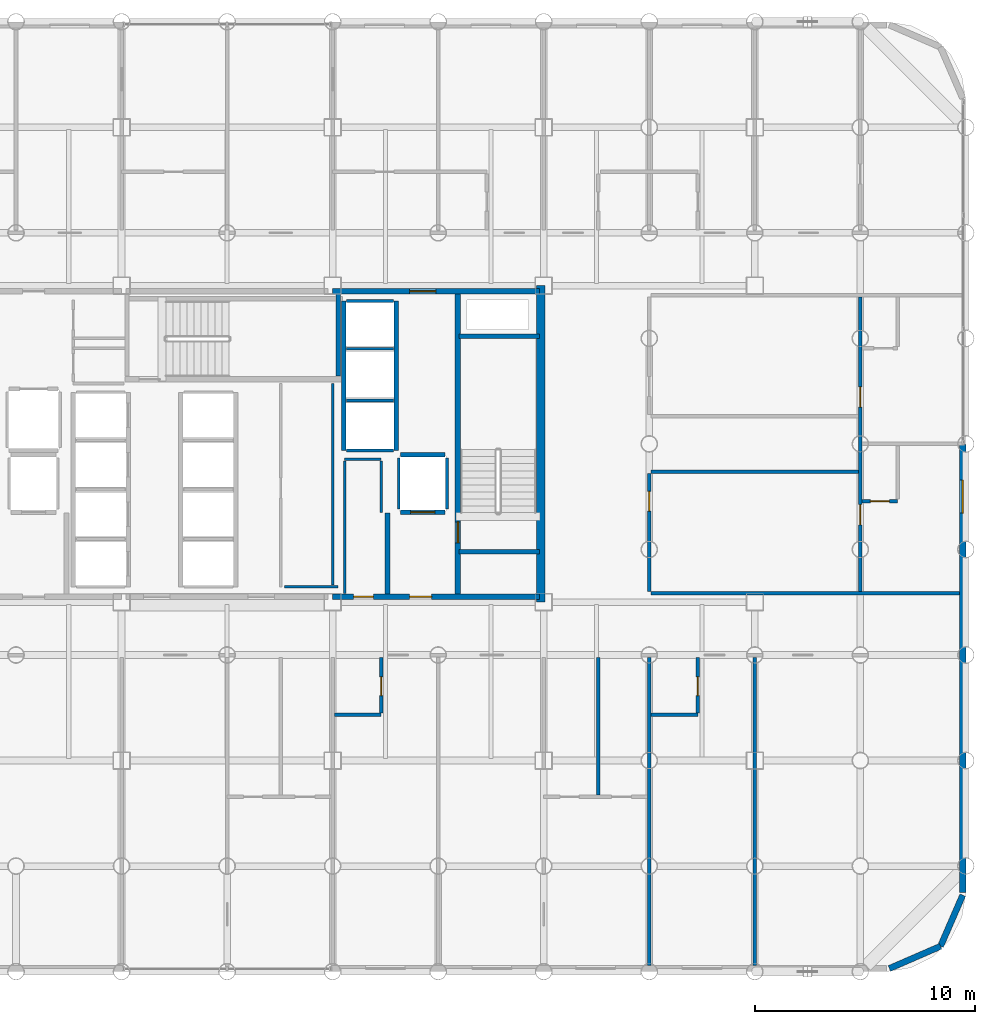
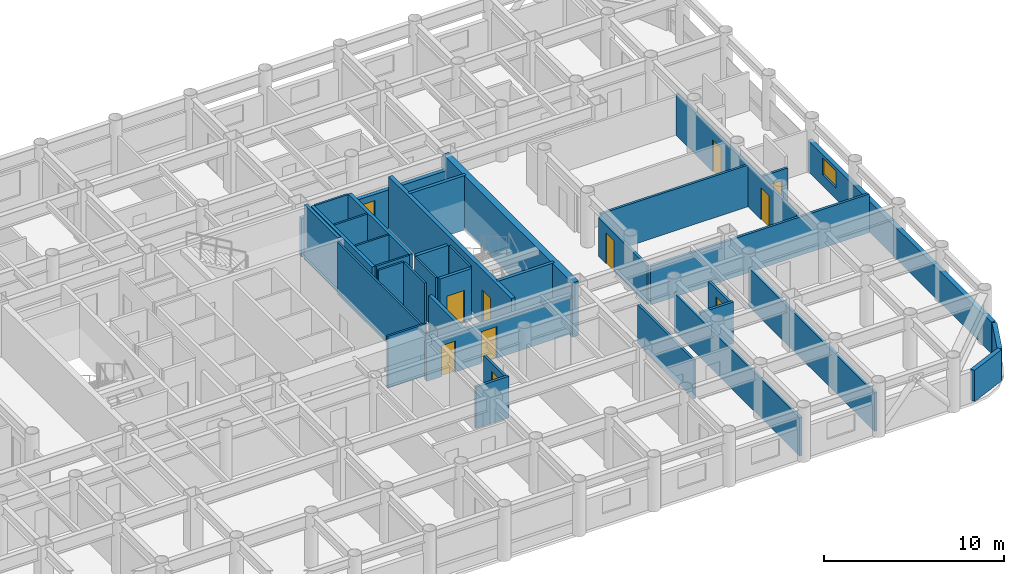
# One storey, part 17 of 20: 38 walls, 11 doors, 1 window, 12 openings.
"""IFC4 building model written with IfcOpenShell, lengths in metres."""

import ifcopenshell
import ifcopenshell.guid

model = None  # the IFC model being written
_history = None  # IfcOwnerHistory: only IFC2X3 demands one
_inside = {}  # id of a spatial element -> (the spatial element, [elements in it])
_under = {}  # id of a project, library or spatial element -> (it, [spatial elements below it])
_declared = {}  # id of a project -> (the project, [libraries it declares])
_typed = {}  # id of a type object -> (the type object, [elements of that type])
_made_of = {}  # id of a material, layer set ... -> (it, [elements and type objects made of it])


def new_model(schema):
    """Start an empty IFC model of exactly this schema.

    Asked for "IFC4X3", IfcOpenShell would pick the latest addendum, in which some entities
    have other attributes; the version numbers below select the first issue.
    IFC2X3 requires an IfcOwnerHistory on every rooted entity: one is made here for all.
    """
    global model, _history
    if schema == "IFC4X3":
        model = ifcopenshell.file(schema_version=(4, 3, 0, 0))
    else:
        model = ifcopenshell.file(schema=schema)
    _inside.clear()
    _under.clear()
    _declared.clear()
    _typed.clear()
    _made_of.clear()
    _history = None
    if model.schema == "IFC2X3":
        org = make("IfcOrganization", Name="unknown")
        user = make(
            "IfcPersonAndOrganization",
            ThePerson=make("IfcPerson", FamilyName="unknown"),
            TheOrganization=org,
        )
        app = make(
            "IfcApplication",
            ApplicationDeveloper=org,
            Version="unknown",
            ApplicationFullName="unknown",
            ApplicationIdentifier="unknown",
        )
        _history = make(
            "IfcOwnerHistory",
            OwningUser=user,
            OwningApplication=app,
            ChangeAction="ADDED",
            CreationDate=0,
        )
    return model


def make(cls, **values):
    """One entity of the class cls with the attributes given. An attribute that is None is left unset."""
    return model.create_entity(
        cls, **{name: value for name, value in values.items() if value is not None}
    )


def rooted(cls, **values):
    """An entity with a GlobalId (a new one), such as an element, a storey or a relation."""
    return make(cls, GlobalId=ifcopenshell.guid.new(), OwnerHistory=_history, **values)


def si_unit(unit_type, name, prefix=None):
    """IfcSIUnit, for example si_unit("LENGTHUNIT", "METRE", prefix="MILLI")."""
    return make("IfcSIUnit", UnitType=unit_type, Prefix=prefix, Name=name)


def assignment(units):
    """IfcUnitAssignment: the units of a project."""
    return None if units is None else make("IfcUnitAssignment", Units=units)


def point(xyz):
    """IfcCartesianPoint."""
    return None if xyz is None else make("IfcCartesianPoint", Coordinates=xyz)


def direction(xyz):
    """IfcDirection."""
    return None if xyz is None else make("IfcDirection", DirectionRatios=xyz)


def frame(location, z_axis=None, x_axis=None):
    """IfcAxis2Placement3D, a coordinate frame: its origin and axes. An axis left out is left unset."""
    return make(
        "IfcAxis2Placement3D",
        Location=point(location),
        Axis=direction(z_axis),
        RefDirection=direction(x_axis),
    )


def frame_2d(location, x_axis=None):
    """IfcAxis2Placement2D, a coordinate frame in the plane: its origin and x axis."""
    return make(
        "IfcAxis2Placement2D", Location=point(location), RefDirection=direction(x_axis)
    )


def origin():
    """The frame at (0, 0, 0) with its axes left unset."""
    return frame((0.0, 0.0, 0.0))


def place(relative_to, where):
    """IfcLocalPlacement: puts the frame where relative to a parent placement (None: the world)."""
    return make(
        "IfcLocalPlacement", PlacementRelTo=relative_to, RelativePlacement=where
    )


def context(
    kind, dimensions, precision=None, world=None, true_north=None, identifier=None
):
    """IfcGeometricRepresentationContext, for example the 3D "Model" context."""
    return make(
        "IfcGeometricRepresentationContext",
        ContextIdentifier=identifier,
        ContextType=kind,
        CoordinateSpaceDimension=dimensions,
        Precision=precision,
        WorldCoordinateSystem=world,
        TrueNorth=true_north,
    )


def subcontext(parent, identifier, kind, view, scale=None):
    """IfcGeometricRepresentationSubContext, for example "Body" below "Model"."""
    return make(
        "IfcGeometricRepresentationSubContext",
        ContextIdentifier=identifier,
        ContextType=kind,
        ParentContext=parent,
        TargetScale=scale,
        TargetView=view,
    )


def project(units=None, contexts=None):
    """IfcProject with its units and contexts."""
    return rooted(
        "IfcProject",
        Name="project",
        RepresentationContexts=contexts,
        UnitsInContext=assignment(units),
    )


def spatial(cls, under=None, at=None, **own):
    """A site, building, storey or space (cls), placed at a placement, below another one or the project."""
    s = rooted(cls, ObjectPlacement=at, **own)
    if under is not None:
        _under.setdefault(under.id(), (under, []))[1].append(s)
    return s


def profile(cls, at=None, kind="AREA", **sizes):
    """A parametric profile (cls). Its sizes go by their IFC names, for example OverallWidth=200.0."""
    return make(cls, ProfileType=kind, Position=at, **sizes)


def rectangle(**sizes):
    """IfcRectangleProfileDef."""
    return profile("IfcRectangleProfileDef", **sizes)


def extrude(swept, where, along, depth):
    """IfcExtrudedAreaSolid: the profile swept, set in the frame where, extruded along a direction by depth."""
    return make(
        "IfcExtrudedAreaSolid",
        SweptArea=swept,
        Position=where,
        ExtrudedDirection=direction(along),
        Depth=depth,
    )


def shape(context_of_items, identifier, shape_type, items):
    """IfcShapeRepresentation: the items that make up one representation, for example the "Body"."""
    return make(
        "IfcShapeRepresentation",
        ContextOfItems=context_of_items,
        RepresentationIdentifier=identifier,
        RepresentationType=shape_type,
        Items=items,
    )


def material(Name=None, Category=None):
    """IfcMaterial."""
    return make("IfcMaterial", Name=Name, Category=Category)


def layer(
    of_material, thickness, ventilated=None, Name=None, Category=None, Priority=None
):
    """IfcMaterialLayer: one layer of a wall or slab, of a material (None: an air gap)."""
    return make(
        "IfcMaterialLayer",
        Material=of_material,
        LayerThickness=thickness,
        IsVentilated=ventilated,
        Name=Name,
        Category=Category,
        Priority=Priority,
    )


def layer_set(layers, Name=None):
    """IfcMaterialLayerSet."""
    return make("IfcMaterialLayerSet", MaterialLayers=layers, LayerSetName=Name)


def made_of(thing, what):
    """Note that an element or type object is made of a material, layer set ...; save() writes the relation."""
    if what is not None:
        _made_of.setdefault(what.id(), (what, []))[1].append(thing)
    return thing


def type_object(cls, material=None, **own):
    """A type object (cls), such as IfcWallType, which elements share."""
    return made_of(rooted(cls, **own), material)


def element(
    cls,
    number,
    at=None,
    inside=None,
    cuts=None,
    type_object=None,
    material=None,
    context=None,
    identifier="Body",
    shape_type=None,
    held_by="IfcProductDefinitionShape",
    body=None,
    shapes=None,
    **own,
):
    """One element of the class cls, such as IfcWall. Its Tag is "e" and its number.

    at: its placement. inside: the storey or other place that contains it. cuts: it is an
    opening in that element (IfcRelVoidsElement). A single representation is given by context,
    identifier, shape_type and body (its items); several are given by shapes. held_by: the class
    of the entity that holds the representations. save() writes the other relations.
    """
    e = rooted(cls, Tag="e%d" % number, ObjectPlacement=at, **own)
    if body is not None:
        shapes = [shape(context, identifier, shape_type, body)]
    if shapes is not None:
        e.Representation = make(held_by, Representations=shapes)
    if inside is not None:
        _inside.setdefault(inside.id(), (inside, []))[1].append(e)
    if cuts is not None:
        rooted(
            "IfcRelVoidsElement", RelatingBuildingElement=cuts, RelatedOpeningElement=e
        )
    if type_object is not None:
        _typed.setdefault(type_object.id(), (type_object, []))[1].append(e)
    return made_of(e, material)


def fill(opening, filler):
    """IfcRelFillsElement: the door or window that sits in an opening."""
    return rooted(
        "IfcRelFillsElement",
        RelatingOpeningElement=opening,
        RelatedBuildingElement=filler,
    )


def aggregate(whole, parts):
    """IfcRelAggregates: a whole, such as a stair, and the parts it consists of."""
    return rooted("IfcRelAggregates", RelatingObject=whole, RelatedObjects=parts)


def save(model, path):
    """Write the relations noted so far, then the file.

    IfcRelAggregates (storeys below a building ...), IfcRelContainedInSpatialStructure (elements
    in a storey), IfcRelDefinesByType, IfcRelAssociatesMaterial and IfcRelDeclares: one each for
    every whole, place, type object, material and project.
    """
    for whole, parts in _under.values():
        aggregate(whole, parts)
    for where, things in _inside.values():
        rooted(
            "IfcRelContainedInSpatialStructure",
            RelatedElements=things,
            RelatingStructure=where,
        )
    for kind, things in _typed.values():
        rooted("IfcRelDefinesByType", RelatedObjects=things, RelatingType=kind)
    for what, things in _made_of.values():
        rooted("IfcRelAssociatesMaterial", RelatedObjects=things, RelatingMaterial=what)
    for by, libraries in _declared.values():
        rooted("IfcRelDeclares", RelatingContext=by, RelatedDefinitions=libraries)
    model.write(path)


model = new_model("IFC4")

# Units and contexts
model_context = context("Model", 3, precision=1e-05, world=origin(), true_north=direction((0.0, 1.0)))
body_context = subcontext(model_context, "Body", "Model", "MODEL_VIEW")
ifc_project = project(units=[si_unit("LENGTHUNIT", "METRE"), si_unit("AREAUNIT", "SQUARE_METRE"), si_unit("VOLUMEUNIT", "CUBIC_METRE"), si_unit("PLANEANGLEUNIT", "RADIAN"), si_unit("MASSUNIT", "GRAM", prefix="KILO")], contexts=[model_context])

# Site, building, storey
site_placement = place(None, origin())
site = spatial("IfcSite", under=ifc_project, at=site_placement, CompositionType="ELEMENT")
building_placement = place(site_placement, origin())
building = spatial("IfcBuilding", under=site, at=building_placement, Name="Kallvorn Hotel Tower", CompositionType="ELEMENT")
storey_placement = place(building_placement, frame((0.0, 0.0, 78.10009765625)))
storey = spatial("IfcBuildingStorey", under=building, at=storey_placement, Name="L18", CompositionType="ELEMENT", Elevation=78.10009765625)

# Walls
ifc_material_1 = material(Name="Concrete C50/60", Category="concrete")
ifc_layer_1 = layer(ifc_material_1, 0.39990234375)
ifc_layer_set_1 = layer_set([ifc_layer_1], Name="WL_CORE_400")
wall_type_1 = type_object("IfcWallType", Name="WL_CORE_400", PredefinedType="SHEAR", material=ifc_layer_set_1)
wall_1_placement = place(storey_placement, frame((14.264892578125, -7.199951171875, -0.18017578125), z_axis=(0.0, 0.0, 1.0), x_axis=(0.0, 1.0, 0.0)))
element("IfcWall", 1, at=wall_1_placement, inside=storey, type_object=wall_type_1, Name="L18 Core East Shear Wall", PredefinedType="SHEAR", context=body_context, shape_type="SweptSolid", body=[
    extrude(rectangle(XDim=14.39990234375, YDim=0.39990234375, at=frame_2d((7.199951171875, 0.0))), origin(), (0.0, 0.0, 1.0), 3.7001953125),
])
ifc_material_2 = material(Name="Fire-rated double-layer acoustic gypsum drywall EI 60")
ifc_layer_2 = layer(ifc_material_2, 0.159912109375)
ifc_layer_set_2 = layer_set([ifc_layer_2], Name="WL_DEMISE_160")
wall_type_2 = type_object("IfcWallType", Name="WL_DEMISE_160", PredefinedType="PARTITIONING", material=ifc_layer_set_2)
wall_2_placement = place(storey_placement, frame((4.8798828125, -12.320068359375, 0.0), z_axis=(0.0, 0.0, 1.0), x_axis=(1.0, 0.0, 0.0)))
element("IfcWall", 2, at=wall_2_placement, inside=storey, type_object=wall_type_2, Name="L18 Suite 1806 Deluxe King Room Partition", PredefinedType="PARTITIONING", context=body_context, shape_type="SweptSolid", body=[
    extrude(rectangle(XDim=2.130126953125, YDim=0.159912109375, at=frame_2d((1.06494140625, 0.0))), origin(), (0.0, 0.0, 1.0), 2.81982421875),
])
wall_3_placement = place(storey_placement, frame((19.280029296875, -12.320068359375, 0.0), z_axis=(0.0, 0.0, 1.0), x_axis=(1.0, 0.0, 0.0)))
element("IfcWall", 3, at=wall_3_placement, inside=storey, type_object=wall_type_2, Name="L18 Suite 1808 Superior Twin Room Partition", PredefinedType="PARTITIONING", context=body_context, shape_type="SweptSolid", body=[
    extrude(rectangle(XDim=2.1298828125, YDim=0.159912109375, at=frame_2d((1.06494140625, 0.0))), origin(), (0.0, 0.0, 1.0), 2.81982421875),
])
wall_4_placement = place(storey_placement, frame((19.280029296875, -6.800048828125, 0.0), z_axis=(0.0, 0.0, 1.0), x_axis=(1.0, 0.0, 0.0)))
element("IfcWall", 4, at=wall_4_placement, inside=storey, type_object=wall_type_2, Name="L18 Suite 1803 E Loggia King Room Partition", PredefinedType="PARTITIONING", context=body_context, shape_type="SweptSolid", body=[
    extrude(rectangle(XDim=14.030029296875, YDim=0.159912109375, at=frame_2d((7.01513671875, 0.0))), origin(), (0.0, 0.0, 1.0), 2.619873046875),
])

# Wall, opening, door
wall_5_placement = place(storey_placement, frame((28.8798828125, -2.60009765625, 0.0), z_axis=(0.0, 0.0, 1.0), x_axis=(1.0, 0.0, 0.0)))
wall_5 = element("IfcWall", 5, at=wall_5_placement, inside=storey, type_object=wall_type_2, Name="L18 Suite 1803 E Loggia King Room Partition", PredefinedType="PARTITIONING", context=body_context, shape_type="SweptSolid", body=[
    extrude(rectangle(XDim=1.6201171875, YDim=0.159912109375, at=frame_2d((0.81005859375, 0.0))), origin(), (0.0, 0.0, 1.0), 2.81982421875),
])
opening_1_placement = place(wall_5_placement, frame((0.3798828125, 0.0, 0.0)))
opening_1 = element("IfcOpeningElement", 6, at=opening_1_placement, cuts=wall_5, Name="Opening BD-I", PredefinedType="OPENING", context=body_context, shape_type="SweptSolid", body=[
    extrude(rectangle(XDim=0.860107421875, YDim=2.10009765625, at=frame_2d((0.43017578125, 1.050048828125))), frame((0.0, 0.094970703125, 0.0), z_axis=(0.0, -1.0, 0.0), x_axis=(1.0, 0.0, 0.0)), (0.0, 0.0, 1.0), 0.18994140625),
])
ifc_material_3 = material(Name="Solid-core walnut veneer fire-rated timber door leaf", Category="wood")
door_type_1 = type_object("IfcDoorType", Name="DR_BATH_860x2100", OperationType="NOTDEFINED", PredefinedType="DOOR", material=ifc_material_3)
door_1_placement = place(opening_1_placement, origin())
door_1 = element("IfcDoor", 7, at=door_1_placement, inside=storey, type_object=door_type_1, Name="L18 Suite 1803 En-Suite Bathroom Door", OperationType="SINGLE_SWING_LEFT", OverallHeight=2.10009765625, OverallWidth=0.860107421875, PredefinedType="DOOR", context=body_context, shape_type="SweptSolid", body=[
    extrude(rectangle(XDim=0.860107421875, YDim=2.10009765625, at=frame_2d((0.43017578125, 1.050048828125))), frame((0.0, 0.02490234375, 0.0), z_axis=(0.0, -1.0, 0.0), x_axis=(1.0, 0.0, 0.0)), (0.0, 0.0, 1.0), 0.050048828125),
])
fill(opening_1, door_1)

wall_6_placement = place(storey_placement, frame((7.006591796875, -12.235107421875, 0.0), z_axis=(0.0, 0.0, 1.0), x_axis=(0.0, 1.0, 0.0)))
wall_6 = element("IfcWall", 8, at=wall_6_placement, inside=storey, type_object=wall_type_2, Name="L18 Suite 1806 Deluxe King Room Partition", PredefinedType="PARTITIONING", context=body_context, shape_type="SweptSolid", body=[
    extrude(rectangle(XDim=2.51513671875, YDim=0.159912109375, at=frame_2d((1.257568359375, 0.0))), origin(), (0.0, 0.0, 1.0), 2.619873046875),
])
opening_2_placement = place(wall_6_placement, frame((0.784912109375, 0.0, 0.0)))
opening_2 = element("IfcOpeningElement", 9, at=opening_2_placement, cuts=wall_6, Name="Opening BD-I", PredefinedType="OPENING", context=body_context, shape_type="SweptSolid", body=[
    extrude(rectangle(XDim=0.860107421875, YDim=2.10009765625, at=frame_2d((0.43017578125, 1.050048828125))), frame((0.0, 0.094970703125, 0.0), z_axis=(0.0, -1.0, 0.0), x_axis=(1.0, 0.0, 0.0)), (0.0, 0.0, 1.0), 0.18994140625),
])
door_2_placement = place(opening_2_placement, origin())
door_2 = element("IfcDoor", 10, at=door_2_placement, inside=storey, type_object=door_type_1, Name="L18 Suite 1806 En-Suite Bathroom Door", OperationType="SINGLE_SWING_LEFT", OverallHeight=2.10009765625, OverallWidth=0.860107421875, PredefinedType="DOOR", context=body_context, shape_type="SweptSolid", body=[
    extrude(rectangle(XDim=0.860107421875, YDim=2.10009765625, at=frame_2d((0.43017578125, 1.050048828125))), frame((0.0, 0.02490234375, 0.0), z_axis=(0.0, -1.0, 0.0), x_axis=(1.0, 0.0, 0.0)), (0.0, 0.0, 1.0), 0.050048828125),
])
fill(opening_2, door_2)

# Wall
wall_7_placement = place(storey_placement, frame((19.199951171875, -23.7099609375, 0.0), z_axis=(0.0, 0.0, 1.0), x_axis=(0.0, 1.0, 0.0)))
element("IfcWall", 11, at=wall_7_placement, inside=storey, type_object=wall_type_2, Name="L18 Suite 1807 Executive Bedroom Partition", PredefinedType="PARTITIONING", context=body_context, shape_type="SweptSolid", body=[
    extrude(rectangle(XDim=13.989990234375, YDim=0.159912109375, at=frame_2d((6.9951171875, 0.0))), origin(), (0.0, 0.0, 1.0), 2.619873046875),
])

# Wall, opening, door
wall_8_placement = place(storey_placement, frame((21.409912109375, -12.235107421875, 0.0), z_axis=(0.0, 0.0, 1.0), x_axis=(0.0, 1.0, 0.0)))
wall_8 = element("IfcWall", 12, at=wall_8_placement, inside=storey, type_object=wall_type_2, Name="L18 Suite 1808 Superior Twin Room Partition", PredefinedType="PARTITIONING", context=body_context, shape_type="SweptSolid", body=[
    extrude(rectangle(XDim=2.51513671875, YDim=0.159912109375, at=frame_2d((1.257568359375, 0.0))), origin(), (0.0, 0.0, 1.0), 2.619873046875),
])
opening_3_placement = place(wall_8_placement, frame((0.784912109375, 0.0, 0.0)))
opening_3 = element("IfcOpeningElement", 13, at=opening_3_placement, cuts=wall_8, Name="Opening BD-I", PredefinedType="OPENING", context=body_context, shape_type="SweptSolid", body=[
    extrude(rectangle(XDim=0.860107421875, YDim=2.10009765625, at=frame_2d((0.43017578125, 1.050048828125))), frame((0.0, 0.094970703125, 0.0), z_axis=(0.0, -1.0, 0.0), x_axis=(1.0, 0.0, 0.0)), (0.0, 0.0, 1.0), 0.18994140625),
])
door_3_placement = place(opening_3_placement, origin())
door_3 = element("IfcDoor", 14, at=door_3_placement, inside=storey, type_object=door_type_1, Name="L18 Suite 1808 En-Suite Bathroom Door", OperationType="SINGLE_SWING_RIGHT", OverallHeight=2.10009765625, OverallWidth=0.860107421875, PredefinedType="DOOR", context=body_context, shape_type="SweptSolid", body=[
    extrude(rectangle(XDim=0.860107421875, YDim=2.10009765625, at=frame_2d((0.43017578125, 1.050048828125))), frame((0.0, 0.02490234375, 0.0), z_axis=(0.0, -1.0, 0.0), x_axis=(1.0, 0.0, 0.0)), (0.0, 0.0, 1.0), 0.050048828125),
])
fill(opening_3, door_3)

# Wall
wall_9_placement = place(storey_placement, frame((24.0, -23.7099609375, 0.0), z_axis=(0.0, 0.0, 1.0), x_axis=(0.0, 1.0, 0.0)))
element("IfcWall", 15, at=wall_9_placement, inside=storey, type_object=wall_type_2, Name="L18 Suite 1808 Superior Twin Room Partition", PredefinedType="PARTITIONING", context=body_context, shape_type="SweptSolid", body=[
    extrude(rectangle(XDim=13.989990234375, YDim=0.159912109375, at=frame_2d((6.9951171875, 0.0))), origin(), (0.0, 0.0, 1.0), 2.619873046875),
])

# Wall, openings, doors
wall_10_placement = place(storey_placement, frame((28.800048828125, -6.715087890625, 0.0), z_axis=(0.0, 0.0, 1.0), x_axis=(0.0, 1.0, 0.0)))
wall_10 = element("IfcWall", 16, at=wall_10_placement, inside=storey, type_object=wall_type_2, Name="L18 Suite 1803 E Loggia King Room Partition", PredefinedType="PARTITIONING", context=body_context, shape_type="SweptSolid", body=[
    extrude(rectangle(XDim=13.388427734375, YDim=0.159912109375, at=frame_2d((6.6943359375, 0.0))), origin(), (0.0, 0.0, 1.0), 2.81982421875),
])
opening_4_placement = place(wall_10_placement, frame((3.034912109375, 0.0, 0.0)))
opening_4 = element("IfcOpeningElement", 17, at=opening_4_placement, cuts=wall_10, Name="Opening GD1", PredefinedType="OPENING", context=body_context, shape_type="SweptSolid", body=[
    extrude(rectangle(XDim=0.919921875, YDim=2.14990234375, at=frame_2d((0.4599609375, 1.074951171875))), frame((0.0, 0.094970703125, 0.0), z_axis=(0.0, -1.0, 0.0), x_axis=(1.0, 0.0, 0.0)), (0.0, 0.0, 1.0), 0.18994140625),
])
opening_5_placement = place(wall_10_placement, frame((8.385009765625, 0.0, 0.0)))
opening_5 = element("IfcOpeningElement", 18, at=opening_5_placement, cuts=wall_10, Name="Opening GD1", PredefinedType="OPENING", context=body_context, shape_type="SweptSolid", body=[
    extrude(rectangle(XDim=0.919921875, YDim=2.14990234375, at=frame_2d((0.4599609375, 1.074951171875))), frame((0.0, 0.094970703125, 0.0), z_axis=(0.0, -1.0, 0.0), x_axis=(1.0, 0.0, 0.0)), (0.0, 0.0, 1.0), 0.18994140625),
])
ifc_material_4 = material(Name="Solid-core walnut veneer fire-rated timber door leaf", Category="wood")
door_type_2 = type_object("IfcDoorType", Name="DR_GUEST_920x2150", OperationType="NOTDEFINED", PredefinedType="DOOR", material=ifc_material_4)
door_4_placement = place(opening_4_placement, origin())
door_4 = element("IfcDoor", 19, at=door_4_placement, inside=storey, type_object=door_type_2, Name="L18 Suite 1803 E Loggia King Room Door", OperationType="SINGLE_SWING_RIGHT", OverallHeight=2.14990234375, OverallWidth=0.919921875, PredefinedType="DOOR", context=body_context, shape_type="SweptSolid", body=[
    extrude(rectangle(XDim=0.919921875, YDim=2.14990234375, at=frame_2d((0.4599609375, 1.074951171875))), frame((0.0, 0.02490234375, 0.0), z_axis=(0.0, -1.0, 0.0), x_axis=(1.0, 0.0, 0.0)), (0.0, 0.0, 1.0), 0.050048828125),
])
fill(opening_4, door_4)
door_5_placement = place(opening_5_placement, origin())
door_5 = element("IfcDoor", 20, at=door_5_placement, inside=storey, type_object=door_type_2, Name="L18 Suite 1804 E Andean Twin Room Door", OperationType="SINGLE_SWING_LEFT", OverallHeight=2.14990234375, OverallWidth=0.919921875, PredefinedType="DOOR", context=body_context, shape_type="SweptSolid", body=[
    extrude(rectangle(XDim=0.919921875, YDim=2.14990234375, at=frame_2d((0.4599609375, 1.074951171875))), frame((0.0, 0.02490234375, 0.0), z_axis=(0.0, -1.0, 0.0), x_axis=(1.0, 0.0, 0.0)), (0.0, 0.0, 1.0), 0.050048828125),
])
fill(opening_5, door_5)

# Walls
ifc_material_5 = material(Name="Precast basalt-clad insulated concrete wall C40/50", Category="masonry")
ifc_layer_3 = layer(ifc_material_5, 0.280029296875)
ifc_layer_set_3 = layer_set([ifc_layer_3], Name="WL_EXT_LOGGIA_280")
wall_type_3 = type_object("IfcWallType", Name="WL_EXT_LOGGIA_280", PredefinedType="SOLIDWALL", material=ifc_layer_set_3)
wall_11_placement = place(storey_placement, frame((30.120849609375, -23.85791015625, 0.0), z_axis=(0.0, 0.0, 1.0), x_axis=(0.917060872934, 0.398747232384, 0.0)))
element("IfcWall", 21, at=wall_11_placement, inside=storey, type_object=wall_type_3, Name="L18 Rounded Corner Exterior Wall SE1", PredefinedType="SOLIDWALL", context=body_context, shape_type="SweptSolid", body=[
    extrude(rectangle(XDim=2.5361328125, YDim=0.280029296875, at=frame_2d((1.26806640625, 0.0))), origin(), (0.0, 0.0, 1.0), 2.119873046875),
])
wall_12_placement = place(storey_placement, frame((32.446533203125, -22.8466796875, 0.0), z_axis=(0.0, 0.0, 1.0), x_axis=(0.398792985289, 0.917040977756, 0.0)))
element("IfcWall", 22, at=wall_12_placement, inside=storey, type_object=wall_type_3, Name="L18 Rounded Corner Exterior Wall SE2", PredefinedType="SOLIDWALL", context=body_context, shape_type="SweptSolid", body=[
    extrude(rectangle(XDim=2.536376953125, YDim=0.280029296875, at=frame_2d((1.26806640625, 0.0))), origin(), (0.0, 0.0, 1.0), 2.119873046875),
])

# Wall, opening, window
wall_13_placement = place(storey_placement, frame((33.4599609375, -20.39990234375, 0.0), z_axis=(0.0, 0.0, 1.0), x_axis=(0.0, 1.0, 0.0)))
wall_13 = element("IfcWall", 23, at=wall_13_placement, inside=storey, type_object=wall_type_3, Name="L18 Exterior Envelope Wall EW-L18-ES", PredefinedType="SOLIDWALL", context=body_context, shape_type="SweptSolid", body=[
    extrude(rectangle(XDim=20.3798828125, YDim=0.280029296875, at=frame_2d((10.18994140625, 0.0))), origin(), (0.0, 0.0, 1.0), 2.119873046875),
])
opening_6_placement = place(wall_13_placement, frame((17.25, 0.0, 0.75)))
opening_6 = element("IfcOpeningElement", 24, at=opening_6_placement, cuts=wall_13, Name="Opening W05A", PredefinedType="OPENING", context=body_context, shape_type="SweptSolid", body=[
    extrude(rectangle(XDim=1.5, YDim=1.14990234375, at=frame_2d((0.75, 0.574951171875))), frame((0.0, 0.155029296875, 0.0), z_axis=(0.0, -1.0, 0.0), x_axis=(1.0, 0.0, 0.0)), (0.0, 0.0, 1.0), 0.31005859375),
])
ifc_material_6 = material(Name="Double-glazed low-e solar-control dark glass", Category="glass")
window_type = type_object("IfcWindowType", Name="WN_HTL_1500x1150", PartitioningType="SINGLE_PANEL", PredefinedType="WINDOW", material=ifc_material_6)
window_placement = place(opening_6_placement, origin())
window = element("IfcWindow", 25, at=window_placement, inside=storey, type_object=window_type, Name="L18 Flank Wing Window 02", OverallHeight=1.14990234375, OverallWidth=1.5, PartitioningType="SINGLE_PANEL", PredefinedType="WINDOW", context=body_context, shape_type="SweptSolid", body=[
    extrude(rectangle(XDim=1.5, YDim=1.14990234375, at=frame_2d((0.75, 0.574951171875))), frame((0.0, 0.030029296875, 0.0), z_axis=(0.0, -1.0, 0.0), x_axis=(1.0, 0.0, 0.0)), (0.0, 0.0, 1.0), 0.06005859375),
])
fill(opening_6, window)

# Walls
ifc_material_7 = material(Name="Concrete C40/50", Category="concrete")
ifc_layer_4 = layer(ifc_material_7, 0.219970703125)
ifc_layer_set_4 = layer_set([ifc_layer_4], Name="WL_FFL_220")
wall_type_4 = type_object("IfcWallType", Name="WL_FFL_220", PredefinedType="SOLIDWALL", material=ifc_layer_set_4)
wall_14_placement = place(storey_placement, frame((7.300048828125, -6.820068359375, 0.0), z_axis=(0.0, 0.0, 1.0), x_axis=(0.0, 1.0, 0.0)))
element("IfcWall", 26, at=wall_14_placement, inside=storey, type_object=wall_type_4, Name="L18 Firefighting Lobby East Divider Wall", PredefinedType="SOLIDWALL", context=body_context, shape_type="SweptSolid", body=[
    extrude(rectangle(XDim=3.670166015625, YDim=0.219970703125, at=frame_2d((1.8349609375, 0.0))), origin(), (0.0, 0.0, 1.0), 2.619873046875),
])
ifc_material_8 = material(Name="Concrete C40/50", Category="concrete")
ifc_layer_5 = layer(ifc_material_8, 0.199951171875)
ifc_layer_set_5 = layer_set([ifc_layer_5], Name="WL_HOIST_200")
wall_type_5 = type_object("IfcWallType", Name="WL_HOIST_200", PredefinedType="SOLIDWALL", material=ifc_layer_set_5)
for number, where, z_axis, x_axis, name in (
    (27, (10.550048828125, -4.89990234375, -0.18017578125), (0.0, 0.0, 1.0), (1.0, 0.0, 0.0), "L18 Stair ST2 South Wall"),
    (28, (10.550048828125, 4.89990234375, -0.18017578125), (0.0, 0.0, 1.0), (1.0, 0.0, 0.0), "L18 Stair ST2 North Wall"),
):
    element("IfcWall", number, at=place(storey_placement, frame(where, z_axis=z_axis, x_axis=x_axis)), inside=storey, type_object=wall_type_5, Name=name, PredefinedType="SOLIDWALL", context=body_context, shape_type="SweptSolid", body=[
        extrude(rectangle(XDim=3.64990234375, YDim=0.199951171875, at=frame_2d((1.824951171875, 0.0))), origin(), (0.0, 0.0, 1.0), 3.7001953125),
    ])
wall_15_placement = place(storey_placement, frame((5.06005859375, 3.080078125, -0.18017578125), z_axis=(0.0, 0.0, 1.0), x_axis=(0.0, 1.0, 0.0)))
element("IfcWall", 29, at=wall_15_placement, inside=storey, type_object=wall_type_5, Name="L18 Stair ST3 East Wall", PredefinedType="SOLIDWALL", context=body_context, shape_type="SweptSolid", body=[
    extrude(rectangle(XDim=3.739990234375, YDim=0.199951171875, at=frame_2d((1.8701171875, 0.0))), origin(), (0.0, 0.0, 1.0), 3.7001953125),
])
for number, where, z_axis, x_axis, name in (
    (30, (7.699951171875, -0.300048828125, 0.0), (0.0, 0.0, 1.0), (0.0, 1.0, 0.0), "L18 Lift Bank OBS Landing Wall"),
    (31, (5.300048828125, -0.300048828125, 0.0), (0.0, 0.0, 1.0), (0.0, 1.0, 0.0), "L18 Lift Bank OBS Rear Shaft Wall"),
):
    element("IfcWall", number, at=place(storey_placement, frame(where, z_axis=z_axis, x_axis=x_axis)), inside=storey, type_object=wall_type_5, Name=name, PredefinedType="SOLIDWALL", context=body_context, shape_type="SweptSolid", body=[
        extrude(rectangle(XDim=6.800048828125, YDim=0.199951171875, at=frame_2d((3.39990234375, 0.0))), origin(), (0.0, 0.0, 1.0), 3.52001953125),
    ])

# Wall, opening, door
wall_16_placement = place(storey_placement, frame((7.8798828125, -3.10009765625, 0.0), z_axis=(0.0, 0.0, 1.0), x_axis=(1.0, 0.0, 0.0)))
wall_16 = element("IfcWall", 32, at=wall_16_placement, inside=storey, type_object=wall_type_5, Name="L18 FL-2 Landing Wall", PredefinedType="SOLIDWALL", context=body_context, shape_type="SweptSolid", body=[
    extrude(rectangle(XDim=2.0400390625, YDim=0.199951171875, at=frame_2d((1.02001953125, 0.0))), origin(), (0.0, 0.0, 1.0), 3.52001953125),
])
opening_7_placement = place(wall_16_placement, frame((0.469970703125, 0.0, 0.0)))
opening_7 = element("IfcOpeningElement", 33, at=opening_7_placement, cuts=wall_16, Name="Opening LD-FL-2", PredefinedType="OPENING", context=body_context, shape_type="SweptSolid", body=[
    extrude(rectangle(XDim=1.10009765625, YDim=2.199951171875, at=frame_2d((0.550048828125, 1.10009765625))), frame((0.0, 0.114990234375, 0.0), z_axis=(0.0, -1.0, 0.0), x_axis=(1.0, 0.0, 0.0)), (0.0, 0.0, 1.0), 0.22998046875),
])
ifc_material_9 = material(Name="Brushed stainless-steel automatic sliding lift landing door", Category="steel")
door_type_3 = type_object("IfcDoorType", Name="LD_PASS_1100x2200", OperationType="SLIDING_TO_LEFT", PredefinedType="DOOR", material=ifc_material_9)
door_6_placement = place(opening_7_placement, origin())
door_6 = element("IfcDoor", 34, at=door_6_placement, inside=storey, type_object=door_type_3, Name="L18 Lift Landing Sliding Door LD-FL-2", OperationType="SLIDING_TO_LEFT", OverallHeight=2.199951171875, OverallWidth=1.10009765625, PredefinedType="DOOR", context=body_context, shape_type="SweptSolid", body=[
    extrude(rectangle(XDim=1.10009765625, YDim=2.199951171875, at=frame_2d((0.550048828125, 1.10009765625))), frame((0.0, 0.02490234375, 0.0), z_axis=(0.0, -1.0, 0.0), x_axis=(1.0, 0.0, 0.0)), (0.0, 0.0, 1.0), 0.050048828125),
])
fill(opening_7, door_6)

# Walls
wall_17_placement = place(storey_placement, frame((7.8798828125, -0.5, 0.0), z_axis=(0.0, 0.0, 1.0), x_axis=(1.0, 0.0, 0.0)))
element("IfcWall", 35, at=wall_17_placement, inside=storey, type_object=wall_type_5, Name="L18 FL-2 Rear Shaft Wall", PredefinedType="SOLIDWALL", context=body_context, shape_type="SweptSolid", body=[
    extrude(rectangle(XDim=2.0400390625, YDim=0.199951171875, at=frame_2d((1.02001953125, 0.0))), origin(), (0.0, 0.0, 1.0), 3.52001953125),
])
ifc_material_10 = material(Name="Fire-rated double-layer acoustic gypsum drywall EI 60")
ifc_layer_6 = layer(ifc_material_10, 0.1201171875)
ifc_layer_set_6 = layer_set([ifc_layer_6], Name="WL_INT_120")
wall_type_6 = type_object("IfcWallType", Name="WL_INT_120", PredefinedType="PARTITIONING", material=ifc_layer_set_6)
for number, where, z_axis, x_axis, name in (
    (36, (5.43994140625, -0.300048828125, 0.0), (0.0, 0.0, 1.0), (1.0, 0.0, 0.0), "L18 Lift Bank OBS South Closure Wall"),
    (37, (5.43994140625, 1.97509765625, 0.0), (0.0, 0.0, 1.0), (1.0, 0.0, 0.0), "L18 OB-01 Hoistway Divider"),
    (38, (5.43994140625, 4.324951171875, 0.0), (0.0, 0.0, 1.0), (1.0, 0.0, 0.0), "L18 OB-02 Hoistway Divider"),
    (39, (5.43994140625, 6.5, 0.0), (0.0, 0.0, 1.0), (1.0, 0.0, 0.0), "L18 OB-03 Hoistway Divider"),
):
    element("IfcWall", number, at=place(storey_placement, frame(where, z_axis=z_axis, x_axis=x_axis)), inside=storey, type_object=wall_type_6, Name=name, PredefinedType="PARTITIONING", context=body_context, shape_type="SweptSolid", body=[
        extrude(rectangle(XDim=2.1201171875, YDim=0.1201171875, at=frame_2d((1.06005859375, 0.0))), origin(), (0.0, 0.0, 1.0), 3.52001953125),
    ])
for number, where, z_axis, x_axis, name in (
    (40, (7.800048828125, -2.9599609375, 0.0), (0.0, 0.0, 1.0), (0.0, 1.0, 0.0), "L18 FL-2 West Shaft Wall"),
    (41, (10.0, -2.9599609375, 0.0), (0.0, 0.0, 1.0), (0.0, 1.0, 0.0), "L18 FL-2 East Shaft Wall"),
):
    element("IfcWall", number, at=place(storey_placement, frame(where, z_axis=z_axis, x_axis=x_axis)), inside=storey, type_object=wall_type_6, Name=name, PredefinedType="PARTITIONING", context=body_context, shape_type="SweptSolid", body=[
        extrude(rectangle(XDim=2.320068359375, YDim=0.1201171875, at=frame_2d((1.16015625, 0.0))), origin(), (0.0, 0.0, 1.0), 3.52001953125),
    ])
wall_18_placement = place(storey_placement, frame((2.60009765625, -6.5, 0.0), z_axis=(0.0, 0.0, 1.0), x_axis=(1.0, 0.0, 0.0)))
element("IfcWall", 42, at=wall_18_placement, inside=storey, type_object=wall_type_6, Name="L18 East Core Consolidated Linen and Supply Store Partition", PredefinedType="PARTITIONING", context=body_context, shape_type="SweptSolid", body=[
    extrude(rectangle(XDim=2.449951171875, YDim=0.1201171875, at=frame_2d((1.22509765625, 0.0))), origin(), (0.0, 0.0, 1.0), 3.52001953125),
])
wall_19_placement = place(storey_placement, frame((5.35009765625, -0.699951171875, 0.0), z_axis=(0.0, 0.0, 1.0), x_axis=(1.0, 0.0, 0.0)))
element("IfcWall", 43, at=wall_19_placement, inside=storey, type_object=wall_type_6, Name="L18 Core Utility and Meter Room Partition", PredefinedType="PARTITIONING", context=body_context, shape_type="SweptSolid", body=[
    extrude(rectangle(XDim=1.64990234375, YDim=0.1201171875, at=frame_2d((0.824951171875, 0.0))), origin(), (0.0, 0.0, 1.0), 3.52001953125),
])
wall_20_placement = place(storey_placement, frame((4.800048828125, -6.4150390625, 0.0), z_axis=(0.0, 0.0, 1.0), x_axis=(0.0, 1.0, 0.0)))
element("IfcWall", 44, at=wall_20_placement, inside=storey, type_object=wall_type_6, Name="L18 East Core Consolidated Linen and Supply Store Partition", PredefinedType="PARTITIONING", context=body_context, shape_type="SweptSolid", body=[
    extrude(rectangle(XDim=9.1650390625, YDim=0.1201171875, at=frame_2d((4.58251953125, 0.0))), origin(), (0.0, 0.0, 1.0), 3.52001953125),
])
wall_21_placement = place(storey_placement, frame((5.35009765625, -6.800048828125, 0.0), z_axis=(0.0, 0.0, 1.0), x_axis=(0.0, 1.0, 0.0)))
element("IfcWall", 45, at=wall_21_placement, inside=storey, type_object=wall_type_6, Name="L18 Core Utility and Meter Room Partition", PredefinedType="PARTITIONING", context=body_context, shape_type="SweptSolid", body=[
    extrude(rectangle(XDim=6.01513671875, YDim=0.1201171875, at=frame_2d((3.007568359375, 0.0))), origin(), (0.0, 0.0, 1.0), 2.619873046875),
])
wall_22_placement = place(storey_placement, frame((7.006591796875, -3.110107421875, 0.0), z_axis=(0.0, 0.0, 1.0), x_axis=(0.0, 1.0, 0.0)))
element("IfcWall", 46, at=wall_22_placement, inside=storey, type_object=wall_type_6, Name="L18 Core Utility and Meter Room Partition", PredefinedType="PARTITIONING", context=body_context, shape_type="SweptSolid", body=[
    extrude(rectangle(XDim=2.3251953125, YDim=0.1201171875, at=frame_2d((1.16259765625, 0.0))), origin(), (0.0, 0.0, 1.0), 3.52001953125),
])
ifc_material_11 = material(Name="Fire-rated double-layer acoustic gypsum drywall EI 60")
ifc_layer_7 = layer(ifc_material_11, 0.14990234375)
ifc_layer_set_7 = layer_set([ifc_layer_7], Name="WL_PART_150")
wall_type_7 = type_object("IfcWallType", Name="WL_PART_150", PredefinedType="PARTITIONING", material=ifc_layer_set_7)
wall_23_placement = place(storey_placement, frame((19.280029296875, -1.260009765625, 0.0), z_axis=(0.0, 0.0, 1.0), x_axis=(1.0, 0.0, 0.0)))
element("IfcWall", 47, at=wall_23_placement, inside=storey, type_object=wall_type_7, Name="L18 L18 East Inner Club Bar Partition", PredefinedType="PARTITIONING", context=body_context, shape_type="SweptSolid", body=[
    extrude(rectangle(XDim=9.43994140625, YDim=0.14990234375, at=frame_2d((4.719970703125, 0.0))), origin(), (0.0, 0.0, 1.0), 2.81982421875),
])
wall_24_placement = place(storey_placement, frame((16.875, -15.965087890625, 0.0), z_axis=(0.0, 0.0, 1.0), x_axis=(0.0, 1.0, 0.0)))
element("IfcWall", 48, at=wall_24_placement, inside=storey, type_object=wall_type_7, Name="L18 Suite 1807 Walk-In Dressing Closet Partition", PredefinedType="PARTITIONING", context=body_context, shape_type="SweptSolid", body=[
    extrude(rectangle(XDim=6.2451171875, YDim=0.14990234375, at=frame_2d((3.12255859375, 0.0))), origin(), (0.0, 0.0, 1.0), 2.619873046875),
])

# Wall, opening, door
wall_25_placement = place(storey_placement, frame((19.199951171875, -6.715087890625, 0.0), z_axis=(0.0, 0.0, 1.0), x_axis=(0.0, 1.0, 0.0)))
wall_25 = element("IfcWall", 49, at=wall_25_placement, inside=storey, type_object=wall_type_7, Name="L18 L18 East Inner Club Bar Partition", PredefinedType="PARTITIONING", context=body_context, shape_type="SweptSolid", body=[
    extrude(rectangle(XDim=5.3701171875, YDim=0.14990234375, at=frame_2d((2.68505859375, 0.0))), origin(), (0.0, 0.0, 1.0), 2.619873046875),
])
opening_8_placement = place(wall_25_placement, frame((3.66015625, 0.0, 0.0)))
opening_8 = element("IfcOpeningElement", 50, at=opening_8_placement, cuts=wall_25, Name="Opening SVD1", PredefinedType="OPENING", context=body_context, shape_type="SweptSolid", body=[
    extrude(rectangle(XDim=0.89990234375, YDim=2.10009765625, at=frame_2d((0.449951171875, 1.050048828125))), frame((0.0, 0.08984375, 0.0), z_axis=(0.0, -1.0, 0.0), x_axis=(1.0, 0.0, 0.0)), (0.0, 0.0, 1.0), 0.179931640625),
])
ifc_material_12 = material(Name="Galvanised painted steel fire-rated door assembly", Category="steel")
door_type_4 = type_object("IfcDoorType", Name="DR_SERV_900x2100", OperationType="NOTDEFINED", PredefinedType="DOOR", material=ifc_material_12)
door_7_placement = place(opening_8_placement, origin())
door_7 = element("IfcDoor", 51, at=door_7_placement, inside=storey, type_object=door_type_4, Name="L18 L18 East Inner Club Bar Door", OperationType="SINGLE_SWING_RIGHT", OverallHeight=2.10009765625, OverallWidth=0.89990234375, PredefinedType="DOOR", context=body_context, shape_type="SweptSolid", body=[
    extrude(rectangle(XDim=0.89990234375, YDim=2.10009765625, at=frame_2d((0.449951171875, 1.050048828125))), frame((0.0, 0.02490234375, 0.0), z_axis=(0.0, -1.0, 0.0), x_axis=(1.0, 0.0, 0.0)), (0.0, 0.0, 1.0), 0.050048828125),
])
fill(opening_8, door_7)

# Wall, openings, doors
ifc_material_13 = material(Name="Concrete C40/50", Category="concrete")
ifc_layer_8 = layer(ifc_material_13, 0.25)
ifc_layer_set_8 = layer_set([ifc_layer_8], Name="WL_SHAFT_250")
wall_type_8 = type_object("IfcWallType", Name="WL_SHAFT_250", PredefinedType="SOLIDWALL", material=ifc_layer_set_8)
wall_26_placement = place(storey_placement, frame((4.800048828125, -6.949951171875, 0.0), z_axis=(0.0, 0.0, 1.0), x_axis=(1.0, 0.0, 0.0)))
wall_26 = element("IfcWall", 52, at=wall_26_placement, inside=storey, type_object=wall_type_8, Name="L18 Core South-East Wall", PredefinedType="SOLIDWALL", context=body_context, shape_type="SweptSolid", body=[
    extrude(rectangle(XDim=9.39990234375, YDim=0.25, at=frame_2d((4.699951171875, 0.0))), origin(), (0.0, 0.0, 1.0), 2.619873046875),
])
opening_9_placement = place(wall_26_placement, frame((3.5, 0.0, 0.0)))
opening_9 = element("IfcOpeningElement", 53, at=opening_9_placement, cuts=wall_26, Name="Opening FD1", PredefinedType="OPENING", context=body_context, shape_type="SweptSolid", body=[
    extrude(rectangle(XDim=1.0, YDim=2.14990234375, at=frame_2d((0.5, 1.074951171875))), frame((0.0, 0.139892578125, 0.0), z_axis=(0.0, -1.0, 0.0), x_axis=(1.0, 0.0, 0.0)), (0.0, 0.0, 1.0), 0.280029296875),
])
opening_10_placement = place(wall_26_placement, frame((0.949951171875, 0.0, 0.0)))
opening_10 = element("IfcOpeningElement", 54, at=opening_10_placement, cuts=wall_26, Name="Opening SVD1", PredefinedType="OPENING", context=body_context, shape_type="SweptSolid", body=[
    extrude(rectangle(XDim=0.89990234375, YDim=2.10009765625, at=frame_2d((0.449951171875, 1.050048828125))), frame((0.0, 0.139892578125, 0.0), z_axis=(0.0, -1.0, 0.0), x_axis=(1.0, 0.0, 0.0)), (0.0, 0.0, 1.0), 0.280029296875),
])
ifc_material_14 = material(Name="Galvanised painted steel fire-rated door assembly", Category="steel")
door_type_5 = type_object("IfcDoorType", Name="DR_FFL_1000x2150", OperationType="NOTDEFINED", PredefinedType="DOOR", material=ifc_material_14)
door_8_placement = place(opening_9_placement, origin())
door_8 = element("IfcDoor", 55, at=door_8_placement, inside=storey, type_object=door_type_5, Name="L18 Firefighting Lobby East Door", OperationType="SINGLE_SWING_LEFT", OverallHeight=2.14990234375, OverallWidth=1.0, PredefinedType="DOOR", context=body_context, shape_type="SweptSolid", body=[
    extrude(rectangle(XDim=1.0, YDim=2.14990234375, at=frame_2d((0.5, 1.074951171875))), frame((0.0, 0.02490234375, 0.0), z_axis=(0.0, -1.0, 0.0), x_axis=(1.0, 0.0, 0.0)), (0.0, 0.0, 1.0), 0.050048828125),
])
fill(opening_9, door_8)
door_9_placement = place(opening_10_placement, origin())
door_9 = element("IfcDoor", 56, at=door_9_placement, inside=storey, type_object=door_type_4, Name="L18 Core Utility and Meter Room Door", OperationType="SINGLE_SWING_LEFT", OverallHeight=2.10009765625, OverallWidth=0.89990234375, PredefinedType="DOOR", context=body_context, shape_type="SweptSolid", body=[
    extrude(rectangle(XDim=0.89990234375, YDim=2.10009765625, at=frame_2d((0.449951171875, 1.050048828125))), frame((0.0, 0.02490234375, 0.0), z_axis=(0.0, -1.0, 0.0), x_axis=(1.0, 0.0, 0.0)), (0.0, 0.0, 1.0), 0.050048828125),
])
fill(opening_10, door_9)

# Wall, opening, door
wall_27_placement = place(storey_placement, frame((4.800048828125, 6.949951171875, 0.0), z_axis=(0.0, 0.0, 1.0), x_axis=(1.0, 0.0, 0.0)))
wall_27 = element("IfcWall", 57, at=wall_27_placement, inside=storey, type_object=wall_type_8, Name="L18 Core North-East Wall", PredefinedType="SOLIDWALL", context=body_context, shape_type="SweptSolid", body=[
    extrude(rectangle(XDim=9.39990234375, YDim=0.25, at=frame_2d((4.699951171875, 0.0))), origin(), (0.0, 0.0, 1.0), 2.619873046875),
])
opening_11_placement = place(wall_27_placement, frame((3.5, 0.0, 0.0)))
opening_11 = element("IfcOpeningElement", 58, at=opening_11_placement, cuts=wall_27, Name="Opening FD2", PredefinedType="OPENING", context=body_context, shape_type="SweptSolid", body=[
    extrude(rectangle(XDim=1.199951171875, YDim=2.199951171875, at=frame_2d((0.60009765625, 1.10009765625))), frame((0.0, 0.139892578125, 0.0), z_axis=(0.0, -1.0, 0.0), x_axis=(1.0, 0.0, 0.0)), (0.0, 0.0, 1.0), 0.280029296875),
])
ifc_material_15 = material(Name="Galvanised painted steel fire-rated door assembly", Category="steel")
door_type_6 = type_object("IfcDoorType", Name="DR_LOBBY_1200x2200", OperationType="DOUBLE_DOOR_SINGLE_SWING", PredefinedType="DOOR", material=ifc_material_15)
door_10_placement = place(opening_11_placement, origin())
door_10 = element("IfcDoor", 59, at=door_10_placement, inside=storey, type_object=door_type_6, Name="L18 Observatory Shuttle Lobby Door", OperationType="DOUBLE_DOOR_SINGLE_SWING", OverallHeight=2.199951171875, OverallWidth=1.199951171875, PredefinedType="DOOR", context=body_context, shape_type="SweptSolid", body=[
    extrude(rectangle(XDim=1.199951171875, YDim=2.199951171875, at=frame_2d((0.60009765625, 1.10009765625))), frame((0.0, 0.02490234375, 0.0), z_axis=(0.0, -1.0, 0.0), x_axis=(1.0, 0.0, 0.0)), (0.0, 0.0, 1.0), 0.050048828125),
])
fill(opening_11, door_10)

wall_28_placement = place(storey_placement, frame((10.5, -6.820068359375, -0.18017578125), z_axis=(0.0, 0.0, 1.0), x_axis=(0.0, 1.0, 0.0)))
wall_28 = element("IfcWall", 60, at=wall_28_placement, inside=storey, type_object=wall_type_8, Name="L18 Stair ST2 Shaft Wall", PredefinedType="SOLIDWALL", context=body_context, shape_type="SweptSolid", body=[
    extrude(rectangle(XDim=13.64013671875, YDim=0.25, at=frame_2d((6.820068359375, 0.0))), origin(), (0.0, 0.0, 1.0), 3.7001953125),
])
opening_12_placement = place(wall_28_placement, frame((2.320068359375, 0.0, 0.179931640625)))
opening_12 = element("IfcOpeningElement", 61, at=opening_12_placement, cuts=wall_28, Name="Opening SD1", PredefinedType="OPENING", context=body_context, shape_type="SweptSolid", body=[
    extrude(rectangle(XDim=0.949951171875, YDim=2.14990234375, at=frame_2d((0.47509765625, 1.074951171875))), frame((0.0, 0.139892578125, 0.0), z_axis=(0.0, -1.0, 0.0), x_axis=(1.0, 0.0, 0.0)), (0.0, 0.0, 1.0), 0.280029296875),
])
ifc_material_16 = material(Name="Galvanised painted steel fire-rated door assembly", Category="steel")
door_type_7 = type_object("IfcDoorType", Name="DR_STAIR_950x2150", OperationType="NOTDEFINED", PredefinedType="DOOR", material=ifc_material_16)
door_11_placement = place(opening_12_placement, origin())
door_11 = element("IfcDoor", 62, at=door_11_placement, inside=storey, type_object=door_type_7, Name="L18 Exit Stair ST2 Fire Door", OperationType="SINGLE_SWING_LEFT", OverallHeight=2.14990234375, OverallWidth=0.949951171875, PredefinedType="DOOR", context=body_context, shape_type="SweptSolid", body=[
    extrude(rectangle(XDim=0.949951171875, YDim=2.14990234375, at=frame_2d((0.47509765625, 1.074951171875))), frame((0.0, 0.02490234375, 0.0), z_axis=(0.0, -1.0, 0.0), x_axis=(1.0, 0.0, 0.0)), (0.0, 0.0, 1.0), 0.050048828125),
])
fill(opening_12, door_11)

save(model, "model.ifc")
